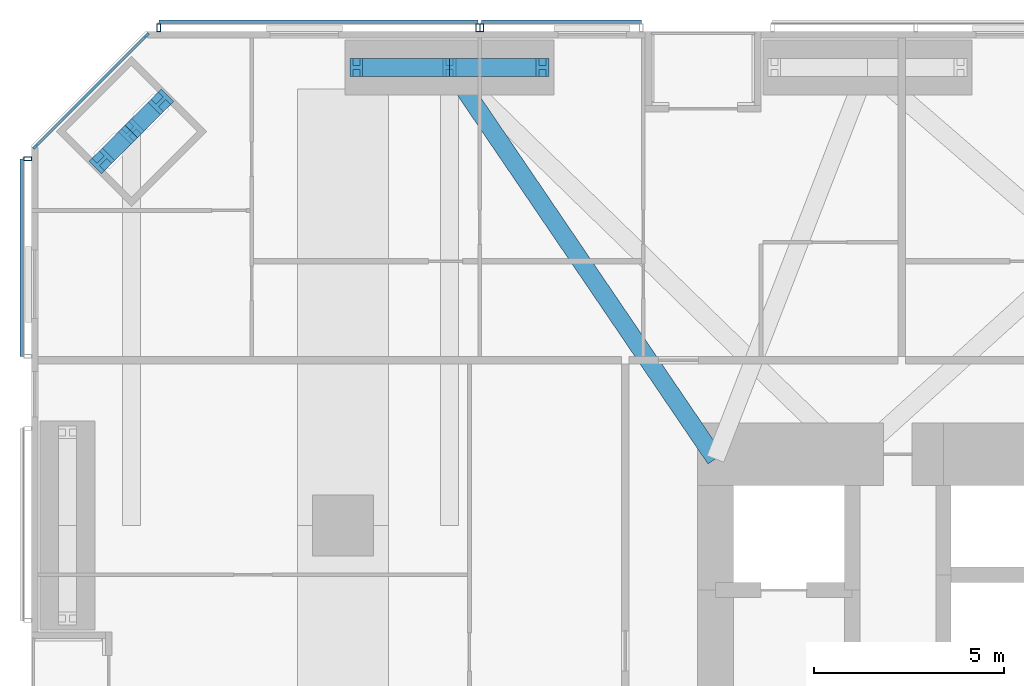
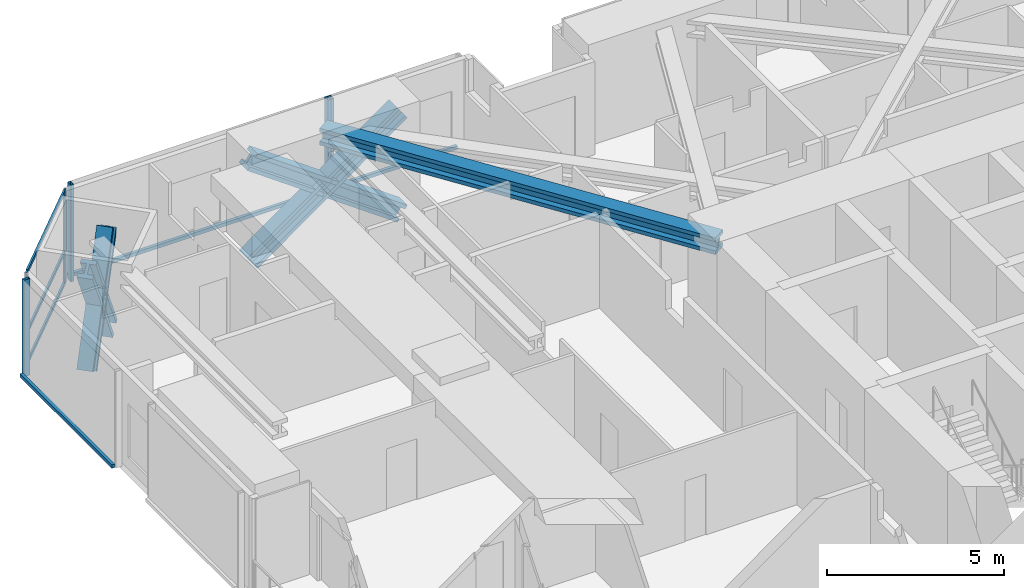
# One storey, part 10 of 22: 21 members, 4 elements without a shape of their own.
"""IFC4 building model written with IfcOpenShell, lengths in metres."""

import ifcopenshell
import ifcopenshell.guid

model = None  # the IFC model being written
_history = None  # IfcOwnerHistory: only IFC2X3 demands one
_inside = {}  # id of a spatial element -> (the spatial element, [elements in it])
_under = {}  # id of a project, library or spatial element -> (it, [spatial elements below it])
_declared = {}  # id of a project -> (the project, [libraries it declares])
_typed = {}  # id of a type object -> (the type object, [elements of that type])
_made_of = {}  # id of a material, layer set ... -> (it, [elements and type objects made of it])


def new_model(schema):
    """Start an empty IFC model of exactly this schema.

    Asked for "IFC4X3", IfcOpenShell would pick the latest addendum, in which some entities
    have other attributes; the version numbers below select the first issue.
    IFC2X3 requires an IfcOwnerHistory on every rooted entity: one is made here for all.
    """
    global model, _history
    if schema == "IFC4X3":
        model = ifcopenshell.file(schema_version=(4, 3, 0, 0))
    else:
        model = ifcopenshell.file(schema=schema)
    _inside.clear()
    _under.clear()
    _declared.clear()
    _typed.clear()
    _made_of.clear()
    _history = None
    if model.schema == "IFC2X3":
        org = make("IfcOrganization", Name="unknown")
        user = make(
            "IfcPersonAndOrganization",
            ThePerson=make("IfcPerson", FamilyName="unknown"),
            TheOrganization=org,
        )
        app = make(
            "IfcApplication",
            ApplicationDeveloper=org,
            Version="unknown",
            ApplicationFullName="unknown",
            ApplicationIdentifier="unknown",
        )
        _history = make(
            "IfcOwnerHistory",
            OwningUser=user,
            OwningApplication=app,
            ChangeAction="ADDED",
            CreationDate=0,
        )
    return model


def make(cls, **values):
    """One entity of the class cls with the attributes given. An attribute that is None is left unset."""
    return model.create_entity(
        cls, **{name: value for name, value in values.items() if value is not None}
    )


def rooted(cls, **values):
    """An entity with a GlobalId (a new one), such as an element, a storey or a relation."""
    return make(cls, GlobalId=ifcopenshell.guid.new(), OwnerHistory=_history, **values)


def si_unit(unit_type, name, prefix=None):
    """IfcSIUnit, for example si_unit("LENGTHUNIT", "METRE", prefix="MILLI")."""
    return make("IfcSIUnit", UnitType=unit_type, Prefix=prefix, Name=name)


def assignment(units):
    """IfcUnitAssignment: the units of a project."""
    return None if units is None else make("IfcUnitAssignment", Units=units)


def point(xyz):
    """IfcCartesianPoint."""
    return None if xyz is None else make("IfcCartesianPoint", Coordinates=xyz)


def direction(xyz):
    """IfcDirection."""
    return None if xyz is None else make("IfcDirection", DirectionRatios=xyz)


def frame(location, z_axis=None, x_axis=None):
    """IfcAxis2Placement3D, a coordinate frame: its origin and axes. An axis left out is left unset."""
    return make(
        "IfcAxis2Placement3D",
        Location=point(location),
        Axis=direction(z_axis),
        RefDirection=direction(x_axis),
    )


def frame_2d(location, x_axis=None):
    """IfcAxis2Placement2D, a coordinate frame in the plane: its origin and x axis."""
    return make(
        "IfcAxis2Placement2D", Location=point(location), RefDirection=direction(x_axis)
    )


def origin():
    """The frame at (0, 0, 0) with its axes left unset."""
    return frame((0.0, 0.0, 0.0))


def origin_2d():
    """The frame at (0, 0) in the plane with its x axis left unset."""
    return frame_2d((0.0, 0.0))


def place(relative_to, where):
    """IfcLocalPlacement: puts the frame where relative to a parent placement (None: the world)."""
    return make(
        "IfcLocalPlacement", PlacementRelTo=relative_to, RelativePlacement=where
    )


def context(
    kind, dimensions, precision=None, world=None, true_north=None, identifier=None
):
    """IfcGeometricRepresentationContext, for example the 3D "Model" context."""
    return make(
        "IfcGeometricRepresentationContext",
        ContextIdentifier=identifier,
        ContextType=kind,
        CoordinateSpaceDimension=dimensions,
        Precision=precision,
        WorldCoordinateSystem=world,
        TrueNorth=true_north,
    )


def subcontext(parent, identifier, kind, view, scale=None):
    """IfcGeometricRepresentationSubContext, for example "Body" below "Model"."""
    return make(
        "IfcGeometricRepresentationSubContext",
        ContextIdentifier=identifier,
        ContextType=kind,
        ParentContext=parent,
        TargetScale=scale,
        TargetView=view,
    )


def project(units=None, contexts=None):
    """IfcProject with its units and contexts."""
    return rooted(
        "IfcProject",
        Name="project",
        RepresentationContexts=contexts,
        UnitsInContext=assignment(units),
    )


def spatial(cls, under=None, at=None, **own):
    """A site, building, storey or space (cls), placed at a placement, below another one or the project."""
    s = rooted(cls, ObjectPlacement=at, **own)
    if under is not None:
        _under.setdefault(under.id(), (under, []))[1].append(s)
    return s


def profile(cls, at=None, kind="AREA", **sizes):
    """A parametric profile (cls). Its sizes go by their IFC names, for example OverallWidth=200.0."""
    return make(cls, ProfileType=kind, Position=at, **sizes)


def rectangle(**sizes):
    """IfcRectangleProfileDef."""
    return profile("IfcRectangleProfileDef", **sizes)


def hollow_rectangle(**sizes):
    """IfcRectangleHollowProfileDef."""
    return profile("IfcRectangleHollowProfileDef", **sizes)


def i_section(**sizes):
    """IfcIShapeProfileDef."""
    return profile("IfcIShapeProfileDef", **sizes)


def extrude(swept, where, along, depth):
    """IfcExtrudedAreaSolid: the profile swept, set in the frame where, extruded along a direction by depth."""
    return make(
        "IfcExtrudedAreaSolid",
        SweptArea=swept,
        Position=where,
        ExtrudedDirection=direction(along),
        Depth=depth,
    )


def shape(context_of_items, identifier, shape_type, items):
    """IfcShapeRepresentation: the items that make up one representation, for example the "Body"."""
    return make(
        "IfcShapeRepresentation",
        ContextOfItems=context_of_items,
        RepresentationIdentifier=identifier,
        RepresentationType=shape_type,
        Items=items,
    )


def material(Name=None, Category=None):
    """IfcMaterial."""
    return make("IfcMaterial", Name=Name, Category=Category)


def material_profile(
    of_material, cross_section, Name=None, Category=None, Priority=None
):
    """IfcMaterialProfile: a cross section and its material."""
    return make(
        "IfcMaterialProfile",
        Name=Name,
        Material=of_material,
        Profile=cross_section,
        Priority=Priority,
        Category=Category,
    )


def profile_set(profiles, Name=None, composite=None):
    """IfcMaterialProfileSet."""
    return make(
        "IfcMaterialProfileSet",
        Name=Name,
        MaterialProfiles=profiles,
        CompositeProfile=composite,
    )


def made_of(thing, what):
    """Note that an element or type object is made of a material, layer set ...; save() writes the relation."""
    if what is not None:
        _made_of.setdefault(what.id(), (what, []))[1].append(thing)
    return thing


def type_object(cls, material=None, **own):
    """A type object (cls), such as IfcWallType, which elements share."""
    return made_of(rooted(cls, **own), material)


def element(
    cls,
    number,
    at=None,
    inside=None,
    cuts=None,
    type_object=None,
    material=None,
    context=None,
    identifier="Body",
    shape_type=None,
    held_by="IfcProductDefinitionShape",
    body=None,
    shapes=None,
    **own,
):
    """One element of the class cls, such as IfcWall. Its Tag is "e" and its number.

    at: its placement. inside: the storey or other place that contains it. cuts: it is an
    opening in that element (IfcRelVoidsElement). A single representation is given by context,
    identifier, shape_type and body (its items); several are given by shapes. held_by: the class
    of the entity that holds the representations. save() writes the other relations.
    """
    e = rooted(cls, Tag="e%d" % number, ObjectPlacement=at, **own)
    if body is not None:
        shapes = [shape(context, identifier, shape_type, body)]
    if shapes is not None:
        e.Representation = make(held_by, Representations=shapes)
    if inside is not None:
        _inside.setdefault(inside.id(), (inside, []))[1].append(e)
    if cuts is not None:
        rooted(
            "IfcRelVoidsElement", RelatingBuildingElement=cuts, RelatedOpeningElement=e
        )
    if type_object is not None:
        _typed.setdefault(type_object.id(), (type_object, []))[1].append(e)
    return made_of(e, material)


def aggregate(whole, parts):
    """IfcRelAggregates: a whole, such as a stair, and the parts it consists of."""
    return rooted("IfcRelAggregates", RelatingObject=whole, RelatedObjects=parts)


def save(model, path):
    """Write the relations noted so far, then the file.

    IfcRelAggregates (storeys below a building ...), IfcRelContainedInSpatialStructure (elements
    in a storey), IfcRelDefinesByType, IfcRelAssociatesMaterial and IfcRelDeclares: one each for
    every whole, place, type object, material and project.
    """
    for whole, parts in _under.values():
        aggregate(whole, parts)
    for where, things in _inside.values():
        rooted(
            "IfcRelContainedInSpatialStructure",
            RelatedElements=things,
            RelatingStructure=where,
        )
    for kind, things in _typed.values():
        rooted("IfcRelDefinesByType", RelatedObjects=things, RelatingType=kind)
    for what, things in _made_of.values():
        rooted("IfcRelAssociatesMaterial", RelatedObjects=things, RelatingMaterial=what)
    for by, libraries in _declared.values():
        rooted("IfcRelDeclares", RelatingContext=by, RelatedDefinitions=libraries)
    model.write(path)


model = new_model("IFC4")

# Units and contexts
model_context = context("Model", 3, precision=1e-05, world=origin(), true_north=direction((0.0, 1.0)))
body_context = subcontext(model_context, "Body", "Model", "MODEL_VIEW")
ifc_project = project(units=[si_unit("LENGTHUNIT", "METRE"), si_unit("AREAUNIT", "SQUARE_METRE"), si_unit("VOLUMEUNIT", "CUBIC_METRE"), si_unit("PLANEANGLEUNIT", "RADIAN"), si_unit("MASSUNIT", "GRAM", prefix="KILO")], contexts=[model_context])

# Site, building, storey
site_placement = place(None, origin())
site = spatial("IfcSite", under=ifc_project, at=site_placement, CompositionType="ELEMENT")
building_placement = place(site_placement, origin())
building = spatial("IfcBuilding", under=site, at=building_placement, Name="Jalousie Tower", CompositionType="ELEMENT")
storey_placement = place(building_placement, frame((0.0, 0.0, 71.25)))
storey = spatial("IfcBuildingStorey", under=building, at=storey_placement, Name="L19", CompositionType="ELEMENT", Elevation=71.25)

# Curtain wall, members
ifc_material_1 = material(Name="Aluminium curtain wall", Category="aluminium")
curtain_wall_type_1 = type_object("IfcCurtainWallType", Name="CORNER WINDOW WALL", PredefinedType="USERDEFINED", material=ifc_material_1)
curtain_wall_1_placement = place(storey_placement, origin())
curtain_wall_1 = element("IfcCurtainWall", 1, at=curtain_wall_1_placement, inside=storey, type_object=curtain_wall_type_1, Name="Corner Window Wall L19 6", ObjectType="CORNER WINDOW WALL", PredefinedType="USERDEFINED")
ifc_material_2 = material(Name="Aluminium mullion", Category="aluminium")
ifc_material_profile_1 = material_profile(ifc_material_2, rectangle(XDim=0.06005859375, YDim=0.14990234375, at=origin_2d()), Name="MULLION 60x150")
ifc_profile_set_1 = profile_set([ifc_material_profile_1], Name="Aluminium mullion")
member_type_1 = type_object("IfcMemberType", Name="CORNER WINDOW WALL MULLION", PredefinedType="MULLION", material=ifc_profile_set_1)
member_1_placement = place(storey_placement, frame((5.030029296875, 37.891357421875, 0.0), z_axis=(0.0, 0.0, 1.0), x_axis=(0.707106781187, -0.707106781187, 0.0)))
member_1 = element("IfcMember", 2, at=member_1_placement, type_object=member_type_1, Name="CW-C mullion 1", PredefinedType="MULLION", context=body_context, shape_type="SweptSolid", body=[
    extrude(rectangle(XDim=0.06005859375, YDim=0.14990234375, at=origin_2d()), origin(), (0.0, 0.0, 1.0), 3.219970703125),
])
member_2_placement = place(storey_placement, frame((2.108642578125, 34.969970703125, 0.0), z_axis=(0.0, 0.0, 1.0), x_axis=(0.707106781187, -0.707106781187, 0.0)))
member_2 = element("IfcMember", 3, at=member_2_placement, type_object=member_type_1, Name="CW-C mullion 2", PredefinedType="MULLION", context=body_context, shape_type="SweptSolid", body=[
    extrude(rectangle(XDim=0.06005859375, YDim=0.14990234375, at=origin_2d()), origin(), (0.0, 0.0, 1.0), 3.219970703125),
])
ifc_material_3 = material(Name="Aluminium transom", Category="aluminium")
ifc_material_profile_2 = material_profile(ifc_material_3, rectangle(XDim=0.06005859375, YDim=0.1201171875, at=origin_2d()), Name="TRANSOM 60x120")
ifc_profile_set_2 = profile_set([ifc_material_profile_2], Name="Aluminium transom")
member_type_2 = type_object("IfcMemberType", Name="CORNER WINDOW WALL TRANSOM", PredefinedType="USERDEFINED", material=ifc_profile_set_2)
member_3_placement = place(storey_placement, frame((5.0087890625, 37.8701171875, 0.030029296875), z_axis=(-0.707106781187, -0.707106781187, 0.0), x_axis=(0.707106781187, -0.707106781187, 0.0)))
member_3 = element("IfcMember", 4, at=member_3_placement, type_object=member_type_2, Name="CW-C transom 1.1", ObjectType="TRANSOM", PredefinedType="USERDEFINED", context=body_context, shape_type="SweptSolid", body=[
    extrude(rectangle(XDim=0.06005859375, YDim=0.1201171875, at=origin_2d()), origin(), (0.0, 0.0, 1.0), 4.0712890625),
])
member_4_placement = place(storey_placement, frame((5.0087890625, 37.8701171875, 1.10009765625), z_axis=(-0.707106781187, -0.707106781187, 0.0), x_axis=(0.707106781187, -0.707106781187, 0.0)))
member_4 = element("IfcMember", 5, at=member_4_placement, type_object=member_type_2, Name="CW-C transom 1.2", ObjectType="TRANSOM", PredefinedType="USERDEFINED", context=body_context, shape_type="SweptSolid", body=[
    extrude(rectangle(XDim=0.06005859375, YDim=0.1201171875, at=origin_2d()), origin(), (0.0, 0.0, 1.0), 4.0712890625),
])
member_5_placement = place(storey_placement, frame((5.0087890625, 37.8701171875, 3.18994140625), z_axis=(-0.707106781187, -0.707106781187, 0.0), x_axis=(0.707106781187, -0.707106781187, 0.0)))
member_5 = element("IfcMember", 6, at=member_5_placement, type_object=member_type_2, Name="CW-C transom 1.3", ObjectType="TRANSOM", PredefinedType="USERDEFINED", context=body_context, shape_type="SweptSolid", body=[
    extrude(rectangle(XDim=0.06005859375, YDim=0.1201171875, at=origin_2d()), origin(), (0.0, 0.0, 1.0), 4.0712890625),
])
aggregate(curtain_wall_1, [member_1, member_2, member_3, member_4, member_5])

# Members
ifc_material_4 = material(Name="Steel ASTM A992 Grade 50", Category="steel")
ifc_material_profile_3 = material_profile(ifc_material_4, i_section(OverallWidth=0.472412109375, OverallDepth=0.5791015625, WebThickness=0.094970703125, FlangeThickness=0.1298828125, at=origin_2d()), Name="W14X808")
ifc_profile_set_3 = profile_set([ifc_material_profile_3], Name="Steel ASTM A992 Grade 50")
member_type_3 = type_object("IfcMemberType", Name="KINK FLOOR TRUSS DIAGONAL W14X808", PredefinedType="BRACE", material=ifc_profile_set_3)
member_6_placement = place(storey_placement, frame((13.0, 37.050048828125, 2.930419921875), z_axis=(0.562088543632, -0.827077063591, 0.0), x_axis=(0.827077063591, 0.562088543632, 0.0)))
element("IfcMember", 7, at=member_6_placement, inside=storey, type_object=member_type_3, Name="Kink floor truss L20 11 diagonal", PredefinedType="BRACE", context=body_context, shape_type="SweptSolid", body=[
    extrude(i_section(OverallWidth=0.472412109375, OverallDepth=0.5791015625, WebThickness=0.094970703125, FlangeThickness=0.1298828125, at=origin_2d()), origin(), (0.0, 0.0, 1.0), 12.45361328125),
])
ifc_material_5 = material(Name="Steel ASTM A992 Grade 50", Category="steel")
ifc_material_profile_4 = material_profile(ifc_material_5, i_section(OverallWidth=0.472412109375, OverallDepth=0.5791015625, WebThickness=0.094970703125, FlangeThickness=0.1298828125, at=origin_2d()), Name="W14X808")
ifc_profile_set_4 = profile_set([ifc_material_profile_4], Name="Steel ASTM A992 Grade 50")
member_type_4 = type_object("IfcMemberType", Name="PERIMETER BRACE W14X808", PredefinedType="BRACE", material=ifc_profile_set_4)
for number, where, z_axis, x_axis, name in (
    (8, (10.550048828125, 37.050048828125, -0.60009765625), (0.813727992185, 0.0, 0.581245864273), (0.0, 1.0, 0.0), "Perimeter brace 11 L19 part 1"),
    (9, (13.0, 37.050048828125, 1.14990234375), (0.813727992185, 0.0, 0.581245864273), (0.0, 1.0, 0.0), "Perimeter brace 11 L19 part 2"),
    (10, (15.449951171875, 37.050048828125, -0.60009765625), (-0.813727992185, 0.0, 0.581245864273), (0.0, -1.0, 0.0), "Perimeter brace 11 L19 part 3"),
    (11, (13.0, 37.050048828125, 1.14990234375), (-0.813727992185, 0.0, 0.581245864273), (0.0, -1.0, 0.0), "Perimeter brace 11 L19 part 4"),
):
    element("IfcMember", number, at=place(storey_placement, frame(where, z_axis=z_axis, x_axis=x_axis)), inside=storey, type_object=member_type_4, Name=name, PredefinedType="BRACE", context=body_context, shape_type="SweptSolid", body=[
        extrude(i_section(OverallWidth=0.472412109375, OverallDepth=0.5791015625, WebThickness=0.094970703125, FlangeThickness=0.1298828125, at=origin_2d()), origin(), (0.0, 0.0, 1.0), 3.0107421875),
    ])
for number, where, z_axis, x_axis, name in (
    (12, (5.4091796875, 36.146484375, -0.60009765625), (-0.376307161585, -0.376307161585, 0.846632057201), (0.707106781187, -0.707106781187, 0.0), "Perimeter brace 12 L19 part 1"),
    (13, (4.63134765625, 35.36865234375, 1.14990234375), (-0.376307161585, -0.376307161585, 0.846632057201), (0.707106781187, -0.707106781187, 0.0), "Perimeter brace 12 L19 part 2"),
    (14, (3.853515625, 34.5908203125, -0.60009765625), (0.376307161585, 0.376307161585, 0.846632057201), (-0.707106781187, 0.707106781187, 0.0), "Perimeter brace 12 L19 part 3"),
    (15, (4.63134765625, 35.36865234375, 1.14990234375), (0.376307161585, 0.376307161585, 0.846632057201), (-0.707106781187, 0.707106781187, 0.0), "Perimeter brace 12 L19 part 4"),
):
    element("IfcMember", number, at=place(storey_placement, frame(where, z_axis=z_axis, x_axis=x_axis)), inside=storey, type_object=member_type_4, Name=name, PredefinedType="BRACE", context=body_context, shape_type="SweptSolid", body=[
        extrude(i_section(OverallWidth=0.472412109375, OverallDepth=0.5791015625, WebThickness=0.094970703125, FlangeThickness=0.1298828125, at=origin_2d()), origin(), (0.0, 0.0, 1.0), 2.06689453125),
    ])

# Curtain wall, member
ifc_material_6 = material(Name="Perforated aluminium sheet", Category="aluminium")
curtain_wall_type_2 = type_object("IfcCurtainWallType", Name="SOLAR SCREEN SS-2", PredefinedType="USERDEFINED", material=ifc_material_6)
curtain_wall_2_placement = place(storey_placement, origin())
curtain_wall_2 = element("IfcCurtainWall", 16, at=curtain_wall_2_placement, inside=storey, type_object=curtain_wall_type_2, Name="Solar screen L19", ObjectType="SOLAR SCREEN SS-2", PredefinedType="USERDEFINED")
ifc_material_7 = material(Name="Steel ASTM A500 Grade C", Category="steel")
ifc_material_profile_5 = material_profile(ifc_material_7, hollow_rectangle(XDim=0.1015625, YDim=0.203125, WallThickness=0.0078125, at=origin_2d()), Name="HSS8X4X5/16")
ifc_profile_set_5 = profile_set([ifc_material_profile_5], Name="Steel ASTM A500 Grade C")
member_type_5 = type_object("IfcMemberType", Name="SOLAR SCREEN SS-2 MULLION", PredefinedType="MULLION", material=ifc_profile_set_5)
member_7_placement = place(storey_placement, frame((13.85009765625, 38.0966796875, -0.1201171875), z_axis=(0.0, 0.0, 1.0), x_axis=(-1.0, 0.0, 0.0)))
member_7 = element("IfcMember", 17, at=member_7_placement, type_object=member_type_5, Name="SS2 post 2", PredefinedType="MULLION", context=body_context, shape_type="SweptSolid", body=[
    extrude(hollow_rectangle(XDim=0.1015625, YDim=0.203125, WallThickness=0.0078125, at=origin_2d()), origin(), (0.0, 0.0, 1.0), 3.340087890625),
])

# Curtain wall, members
curtain_wall_3_placement = place(storey_placement, origin())
curtain_wall_3 = element("IfcCurtainWall", 18, at=curtain_wall_3_placement, inside=storey, type_object=curtain_wall_type_2, Name="Solar screen L19", ObjectType="SOLAR SCREEN SS-2", PredefinedType="USERDEFINED")
member_8_placement = place(storey_placement, frame((13.75, 38.0966796875, -0.1201171875), z_axis=(0.0, 0.0, 1.0), x_axis=(-1.0, 0.0, 0.0)))
member_8 = element("IfcMember", 19, at=member_8_placement, type_object=member_type_5, Name="SS2 post 1", PredefinedType="MULLION", context=body_context, shape_type="SweptSolid", body=[
    extrude(hollow_rectangle(XDim=0.1015625, YDim=0.203125, WallThickness=0.0078125, at=origin_2d()), origin(), (0.0, 0.0, 1.0), 3.340087890625),
])
member_9_placement = place(storey_placement, frame((5.351318359375, 38.0966796875, -0.1201171875), z_axis=(0.0, 0.0, 1.0), x_axis=(-1.0, 0.0, 0.0)))
member_9 = element("IfcMember", 20, at=member_9_placement, type_object=member_type_5, Name="SS2 post 2", PredefinedType="MULLION", context=body_context, shape_type="SweptSolid", body=[
    extrude(hollow_rectangle(XDim=0.1015625, YDim=0.203125, WallThickness=0.0078125, at=origin_2d()), origin(), (0.0, 0.0, 1.0), 3.340087890625),
])

# Curtain wall, member
curtain_wall_4_placement = place(storey_placement, origin())
curtain_wall_4 = element("IfcCurtainWall", 21, at=curtain_wall_4_placement, inside=storey, type_object=curtain_wall_type_2, Name="Solar screen L19", ObjectType="SOLAR SCREEN SS-2", PredefinedType="USERDEFINED")
member_10_placement = place(storey_placement, frame((1.9033203125, 34.648681640625, -0.1201171875), z_axis=(0.0, 0.0, 1.0), x_axis=(0.0, -1.0, 0.0)))
member_10 = element("IfcMember", 22, at=member_10_placement, type_object=member_type_5, Name="SS2 post 1", PredefinedType="MULLION", context=body_context, shape_type="SweptSolid", body=[
    extrude(hollow_rectangle(XDim=0.1015625, YDim=0.203125, WallThickness=0.0078125, at=origin_2d()), origin(), (0.0, 0.0, 1.0), 3.340087890625),
])

# Member
ifc_material_8 = material(Name="Extruded aluminium screen rail", Category="aluminium")
ifc_material_profile_6 = material_profile(ifc_material_8, rectangle(XDim=0.1015625, YDim=0.1201171875, at=origin_2d()), Name="RAIL 102x120")
ifc_profile_set_6 = profile_set([ifc_material_profile_6], Name="Extruded aluminium screen rail")
member_type_6 = type_object("IfcMemberType", Name="SOLAR SCREEN SS-2 TRANSOM", PredefinedType="USERDEFINED", material=ifc_profile_set_6)
member_11_placement = place(storey_placement, frame((18.050048828125, 38.2490234375, -0.06005859375), z_axis=(-1.0, 0.0, 0.0), x_axis=(0.0, -1.0, 0.0)))
member_11 = element("IfcMember", 23, at=member_11_placement, type_object=member_type_6, Name="SS2 rail", ObjectType="TRANSOM", PredefinedType="USERDEFINED", context=body_context, shape_type="SweptSolid", body=[
    extrude(rectangle(XDim=0.1015625, YDim=0.1201171875, at=origin_2d()), origin(), (0.0, 0.0, 1.0), 4.199951171875),
])

aggregate(curtain_wall_2, [member_7, member_11])

member_12_placement = place(storey_placement, frame((13.75, 38.2490234375, -0.06005859375), z_axis=(-1.0, 0.0, 0.0), x_axis=(0.0, -1.0, 0.0)))
member_12 = element("IfcMember", 24, at=member_12_placement, type_object=member_type_6, Name="SS2 rail", ObjectType="TRANSOM", PredefinedType="USERDEFINED", context=body_context, shape_type="SweptSolid", body=[
    extrude(rectangle(XDim=0.1015625, YDim=0.1201171875, at=origin_2d()), origin(), (0.0, 0.0, 1.0), 8.398681640625),
])

aggregate(curtain_wall_3, [member_8, member_9, member_12])

member_13_placement = place(storey_placement, frame((1.7509765625, 34.648681640625, -0.06005859375), z_axis=(0.0, -1.0, 0.0), x_axis=(1.0, 0.0, 0.0)))
member_13 = element("IfcMember", 25, at=member_13_placement, type_object=member_type_6, Name="SS2 rail", ObjectType="TRANSOM", PredefinedType="USERDEFINED", context=body_context, shape_type="SweptSolid", body=[
    extrude(rectangle(XDim=0.1015625, YDim=0.1201171875, at=origin_2d()), origin(), (0.0, 0.0, 1.0), 5.19873046875),
])

aggregate(curtain_wall_4, [member_10, member_13])

save(model, "model.ifc")
